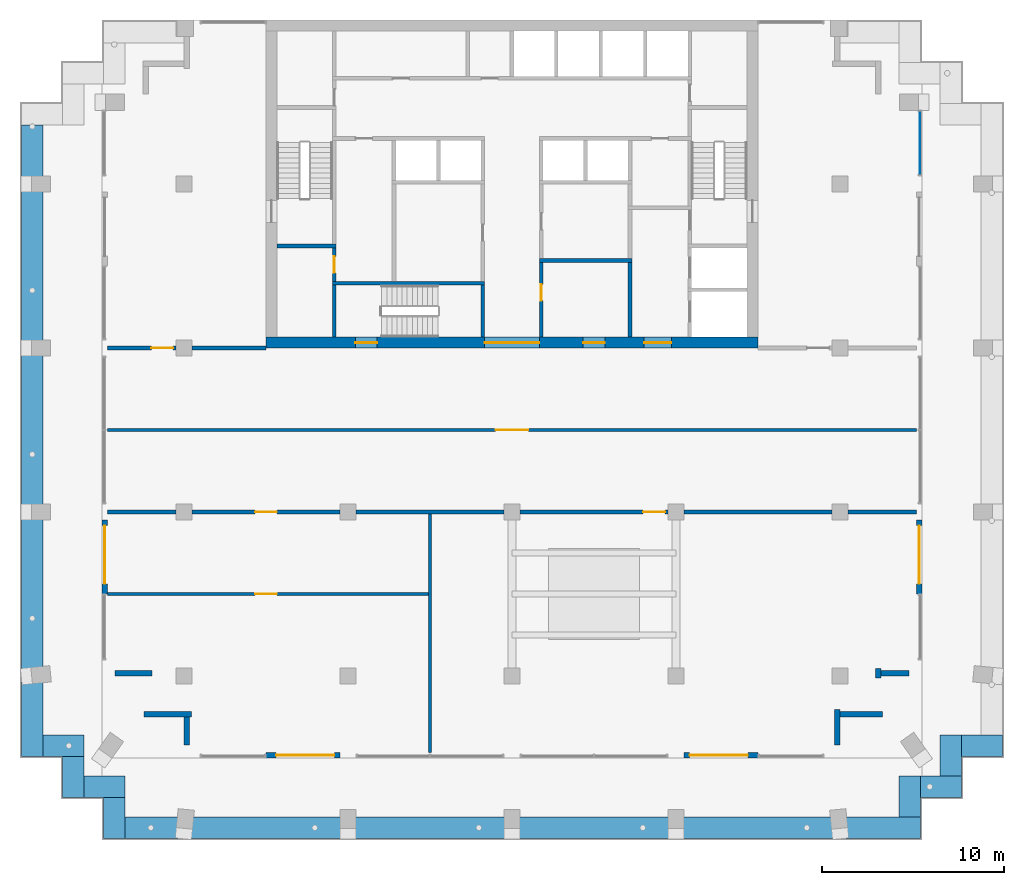
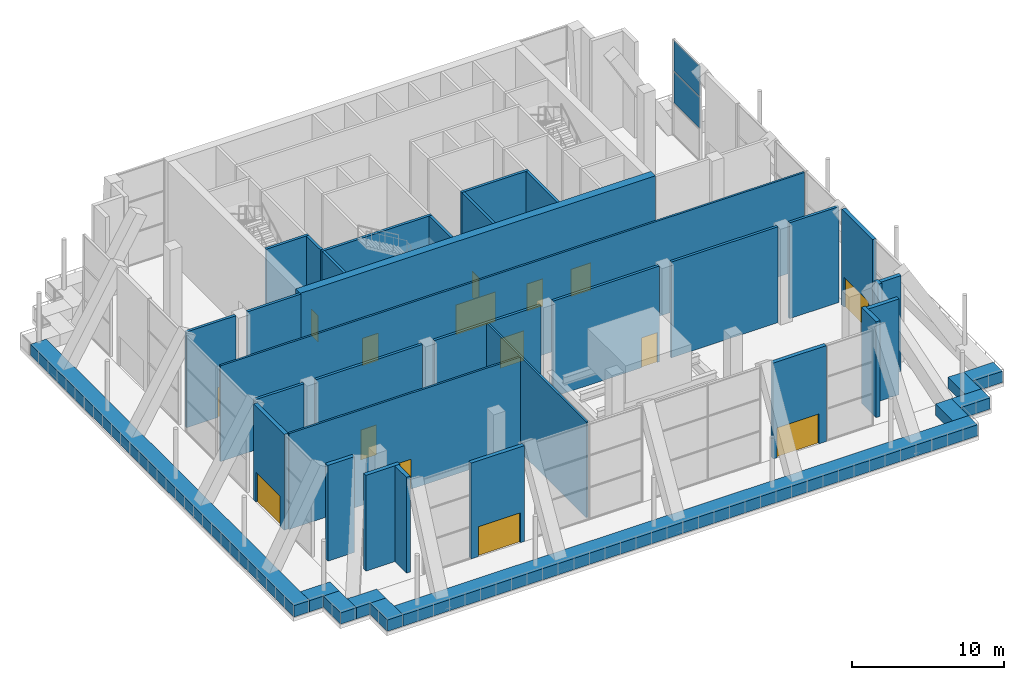
# One storey, part 7 of 12: 41 walls, 15 doors, 2 plates, 15 openings, 1 element without a shape of its own.
"""IFC4 building model written with IfcOpenShell, lengths in metres."""

from ifc_helpers import new_model, si_unit, direction, frame, frame_2d, origin, origin_2d, place, context, subcontext, project, spatial, rectangle, extrude, material, layer, layer_set, type_object, element, fill, aggregate, save


model = new_model("IFC4")

# Units and contexts
model_context = context("Model", 3, precision=1e-05, world=origin(), true_north=direction((0.0, 1.0)))
body_context = subcontext(model_context, "Body", "Model", "MODEL_VIEW")
ifc_project = project(units=[si_unit("LENGTHUNIT", "METRE"), si_unit("AREAUNIT", "SQUARE_METRE"), si_unit("VOLUMEUNIT", "CUBIC_METRE"), si_unit("PLANEANGLEUNIT", "RADIAN"), si_unit("MASSUNIT", "GRAM", prefix="KILO")], contexts=[model_context])

# Site, building, storey
site_placement = place(None, origin())
site = spatial("IfcSite", under=ifc_project, at=site_placement, CompositionType="ELEMENT")
building_placement = place(site_placement, origin())
building = spatial("IfcBuilding", under=site, at=building_placement, Name="Orbiselva Terraces", CompositionType="ELEMENT")
storey_placement = place(building_placement, frame((0.0, 0.0, 289.4)))
storey = spatial("IfcBuildingStorey", under=building, at=storey_placement, Name="L73", CompositionType="ELEMENT", Elevation=289.4)

# Curtain wall, plates
ifc_material_1 = material(Name="Clear low-e glazing in aluminium frame", Category="aluminium")
curtain_wall_type = type_object("IfcCurtainWallType", Name="ENV-CW-TMD", PredefinedType="NOTDEFINED", material=ifc_material_1)
curtain_wall_placement = place(storey_placement, origin())
curtain_wall = element("IfcCurtainWall", 1, at=curtain_wall_placement, inside=storey, type_object=curtain_wall_type, Name="Curtain wall L73 E", PredefinedType="NOTDEFINED")
ifc_material_2 = material(Name="Clear low-e glass", Category="glass")
ifc_layer_1 = layer(ifc_material_2, 0.028)
ifc_layer_set_1 = layer_set([ifc_layer_1], Name="Clear low-e glass")
plate_type = type_object("IfcPlateType", Name="ENV-CW-TMD-PANEL-28", PredefinedType="CURTAIN_PANEL", material=ifc_layer_set_1)
plate_1_placement = place(storey_placement, frame((22.4, 15.75, 2.604167), z_axis=(0.0, 0.0, 1.0), x_axis=(0.0, 1.0, 0.0)))
plate_1 = element("IfcPlate", 2, at=plate_1_placement, type_object=plate_type, Name="CW4 panel 1.2", PredefinedType="CURTAIN_PANEL", context=body_context, shape_type="SweptSolid", body=[
    extrude(rectangle(XDim=3.45, YDim=0.028, at=origin_2d()), origin(), (0.0, 0.0, 1.0), 2.491667),
])
plate_2_placement = place(storey_placement, frame((22.4, 15.75, 5.170834), z_axis=(0.0, 0.0, 1.0), x_axis=(0.0, 1.0, 0.0)))
plate_2 = element("IfcPlate", 3, at=plate_2_placement, type_object=plate_type, Name="CW4 panel 1.3", PredefinedType="CURTAIN_PANEL", context=body_context, shape_type="SweptSolid", body=[
    extrude(rectangle(XDim=3.45, YDim=0.028, at=origin_2d()), origin(), (0.0, 0.0, 1.0), 2.454167),
])
aggregate(curtain_wall, [plate_1, plate_2])

# Wall, openings, doors
ifc_material_3 = material(Name="Concrete C80/95", Category="concrete")
ifc_layer_2 = layer(ifc_material_3, 0.6)
ifc_layer_set_2 = layer_set([ifc_layer_2], Name="Concrete C80/95")
wall_type_1 = type_object("IfcWallType", Name="CORE WALL 600", PredefinedType="SHEAR", material=ifc_layer_set_2)
wall_1_placement = place(storey_placement, frame((-13.5, 4.8, -0.3), z_axis=(0.0, 0.0, 1.0), x_axis=(1.0, 0.0, 0.0)))
wall_1 = element("IfcWall", 4, at=wall_1_placement, inside=storey, type_object=wall_type_1, Name="Core wall L73 south", PredefinedType="SHEAR", context=body_context, shape_type="SweptSolid", body=[
    extrude(rectangle(XDim=27.0, YDim=0.6, at=frame_2d((13.5, 0.0))), origin(), (0.0, 0.0, 1.0), 8.0),
])
opening_1_placement = place(wall_1_placement, frame((12.0, 0.0, 0.3)))
opening_1 = element("IfcOpeningElement", 5, at=opening_1_placement, cuts=wall_1, Name="Opening DL3000", PredefinedType="OPENING", context=body_context, shape_type="SweptSolid", body=[
    extrude(rectangle(XDim=3.0, YDim=2.4, at=frame_2d((1.5, 1.2))), frame((0.0, 0.31, 0.0), z_axis=(0.0, -1.0, 0.0), x_axis=(1.0, 0.0, 0.0)), (0.0, 0.0, 1.0), 0.62),
])
opening_2_placement = place(wall_1_placement, frame((4.9, 0.0, 0.3)))
opening_2 = element("IfcOpeningElement", 6, at=opening_2_placement, cuts=wall_1, Name="Opening DS1200", PredefinedType="OPENING", context=body_context, shape_type="SweptSolid", body=[
    extrude(rectangle(XDim=1.2, YDim=2.2, at=frame_2d((0.6, 1.1))), frame((0.0, 0.31, 0.0), z_axis=(0.0, -1.0, 0.0), x_axis=(1.0, 0.0, 0.0)), (0.0, 0.0, 1.0), 0.62),
])
opening_3_placement = place(wall_1_placement, frame((20.75, 0.0, 0.3)))
opening_3 = element("IfcOpeningElement", 7, at=opening_3_placement, cuts=wall_1, Name="Opening DF1500", PredefinedType="OPENING", context=body_context, shape_type="SweptSolid", body=[
    extrude(rectangle(XDim=1.5, YDim=2.2, at=frame_2d((0.75, 1.1))), frame((0.0, 0.31, 0.0), z_axis=(0.0, -1.0, 0.0), x_axis=(1.0, 0.0, 0.0)), (0.0, 0.0, 1.0), 0.62),
])
opening_4_placement = place(wall_1_placement, frame((17.4, 0.0, 0.3)))
opening_4 = element("IfcOpeningElement", 8, at=opening_4_placement, cuts=wall_1, Name="Opening DV1200", PredefinedType="OPENING", context=body_context, shape_type="SweptSolid", body=[
    extrude(rectangle(XDim=1.2, YDim=2.2, at=frame_2d((0.6, 1.1))), frame((0.0, 0.31, 0.0), z_axis=(0.0, -1.0, 0.0), x_axis=(1.0, 0.0, 0.0)), (0.0, 0.0, 1.0), 0.62),
])
ifc_material_4 = material(Name="Steel fire door", Category="steel")
door_type_1 = type_object("IfcDoorType", Name="FFL DOOR 1500", OperationType="DOUBLE_DOOR_SINGLE_SWING", PredefinedType="DOOR", material=ifc_material_4)
door_1_placement = place(opening_3_placement, frame((1.5, 0.0, 0.0), z_axis=(0.0, 0.0, 1.0), x_axis=(-1.0, 0.0, 0.0)))
door_1 = element("IfcDoor", 9, at=door_1_placement, inside=storey, type_object=door_type_1, Name="L73 FIRE-FIGHTING LOBBY door", OperationType="DOUBLE_DOOR_SINGLE_SWING", OverallHeight=2.2, OverallWidth=1.5, PredefinedType="DOOR", context=body_context, shape_type="SweptSolid", body=[
    extrude(rectangle(XDim=1.5, YDim=2.2, at=frame_2d((0.75, 1.1))), frame((0.0, 0.025, 0.0), z_axis=(0.0, -1.0, 0.0), x_axis=(1.0, 0.0, 0.0)), (0.0, 0.0, 1.0), 0.05),
])
fill(opening_3, door_1)
door_type_2 = type_object("IfcDoorType", Name="LOBBY DOOR 3000", OperationType="DOUBLE_DOOR_SINGLE_SWING", PredefinedType="DOOR", material=ifc_material_4)
door_2_placement = place(opening_1_placement, frame((3.0, 0.0, 0.0), z_axis=(0.0, 0.0, 1.0), x_axis=(-1.0, 0.0, 0.0)))
door_2 = element("IfcDoor", 10, at=door_2_placement, inside=storey, type_object=door_type_2, Name="L73 LIFT LOBBY door", OperationType="DOUBLE_DOOR_SINGLE_SWING", OverallHeight=2.4, OverallWidth=3.0, PredefinedType="DOOR", context=body_context, shape_type="SweptSolid", body=[
    extrude(rectangle(XDim=3.0, YDim=2.4, at=frame_2d((1.5, 1.2))), frame((0.0, 0.025, 0.0), z_axis=(0.0, -1.0, 0.0), x_axis=(1.0, 0.0, 0.0)), (0.0, 0.0, 1.0), 0.05),
])
fill(opening_1, door_2)
door_type_3 = type_object("IfcDoorType", Name="SERVICE DOOR 1200", OperationType="NOTDEFINED", PredefinedType="DOOR", material=ifc_material_4)
door_3_placement = place(opening_4_placement, frame((1.2, 0.0, 0.0), z_axis=(0.0, 0.0, 1.0), x_axis=(-1.0, 0.0, 0.0)))
door_3 = element("IfcDoor", 11, at=door_3_placement, inside=storey, type_object=door_type_3, Name="L73 AIR HANDLING PLANT ROOM door", OperationType="SINGLE_SWING_RIGHT", OverallHeight=2.2, OverallWidth=1.2, PredefinedType="DOOR", context=body_context, shape_type="SweptSolid", body=[
    extrude(rectangle(XDim=1.2, YDim=2.2, at=frame_2d((0.6, 1.1))), frame((0.0, 0.025, 0.0), z_axis=(0.0, -1.0, 0.0), x_axis=(1.0, 0.0, 0.0)), (0.0, 0.0, 1.0), 0.05),
])
fill(opening_4, door_3)
door_type_4 = type_object("IfcDoorType", Name="STAIR DOOR 1200", OperationType="NOTDEFINED", PredefinedType="DOOR", material=ifc_material_4)
door_4_placement = place(opening_2_placement, frame((1.2, 0.0, 0.0), z_axis=(0.0, 0.0, 1.0), x_axis=(-1.0, 0.0, 0.0)))
door_4 = element("IfcDoor", 12, at=door_4_placement, inside=storey, type_object=door_type_4, Name="L73 EXIT STAIR S3 door", OperationType="SINGLE_SWING_LEFT", OverallHeight=2.2, OverallWidth=1.2, PredefinedType="DOOR", context=body_context, shape_type="SweptSolid", body=[
    extrude(rectangle(XDim=1.2, YDim=2.2, at=frame_2d((0.6, 1.1))), frame((0.0, 0.025, 0.0), z_axis=(0.0, -1.0, 0.0), x_axis=(1.0, 0.0, 0.0)), (0.0, 0.0, 1.0), 0.05),
])
fill(opening_2, door_4)

# Wall, opening, door
ifc_material_5 = material(Name="Masonry blockwork", Category="masonry")
ifc_layer_3 = layer(ifc_material_5, 0.2)
ifc_layer_set_3 = layer_set([ifc_layer_3], Name="Masonry blockwork")
wall_type_2 = type_object("IfcWallType", Name="CORE-WALL-PARTITION-200", PredefinedType="PARTITIONING", material=ifc_layer_set_3)
wall_2_placement = place(storey_placement, frame((-9.75, 8.15, 0.0), z_axis=(0.0, 0.0, 1.0), x_axis=(0.0, 1.0, 0.0)))
wall_2 = element("IfcWall", 13, at=wall_2_placement, inside=storey, type_object=wall_type_2, Name="L73 core wall 05", PredefinedType="PARTITIONING", context=body_context, shape_type="SweptSolid", body=[
    extrude(rectangle(XDim=1.85, YDim=0.2, at=frame_2d((0.925, 0.0))), origin(), (0.0, 0.0, 1.0), 7.7),
])
opening_5_placement = place(wall_2_placement, frame((0.475, 0.0, 0.0)))
opening_5 = element("IfcOpeningElement", 14, at=opening_5_placement, cuts=wall_2, Name="Opening DR900", PredefinedType="OPENING", context=body_context, shape_type="SweptSolid", body=[
    extrude(rectangle(XDim=0.9, YDim=2.1, at=frame_2d((0.45, 1.05))), frame((0.0, 0.11, 0.0), z_axis=(0.0, -1.0, 0.0), x_axis=(1.0, 0.0, 0.0)), (0.0, 0.0, 1.0), 0.22),
])
door_type_5 = type_object("IfcDoorType", Name="ROOM DOOR 900", OperationType="NOTDEFINED", PredefinedType="DOOR", material=ifc_material_4)
door_5_placement = place(opening_5_placement, origin())
door_5 = element("IfcDoor", 15, at=door_5_placement, inside=storey, type_object=door_type_5, Name="L73 ELECTRICAL SWITCH ROOM door", OperationType="SINGLE_SWING_RIGHT", OverallHeight=2.1, OverallWidth=0.9, PredefinedType="DOOR", context=body_context, shape_type="SweptSolid", body=[
    extrude(rectangle(XDim=0.9, YDim=2.1, at=frame_2d((0.45, 1.05))), frame((0.0, 0.025, 0.0), z_axis=(0.0, -1.0, 0.0), x_axis=(1.0, 0.0, 0.0)), (0.0, 0.0, 1.0), 0.05),
])
fill(opening_5, door_5)

# Walls
ifc_material_6 = material(Name="Concrete C60/75", Category="concrete")
ifc_layer_4 = layer(ifc_material_6, 0.2)
ifc_layer_set_4 = layer_set([ifc_layer_4], Name="Concrete C60/75")
wall_type_3 = type_object("IfcWallType", Name="CORE-WALL-SHEAR-200", PredefinedType="SHEAR", material=ifc_layer_set_4)
wall_3_placement = place(storey_placement, frame((-12.9, 10.1, 0.0), z_axis=(0.0, 0.0, 1.0), x_axis=(1.0, 0.0, 0.0)))
element("IfcWall", 16, at=wall_3_placement, inside=storey, type_object=wall_type_3, Name="L73 core wall 01", PredefinedType="SHEAR", context=body_context, shape_type="SweptSolid", body=[
    extrude(rectangle(XDim=3.25, YDim=0.2, at=frame_2d((1.625, 0.0))), origin(), (0.0, 0.0, 1.0), 7.7),
])
wall_4_placement = place(storey_placement, frame((-9.75, 5.1, 0.0), z_axis=(0.0, 0.0, 1.0), x_axis=(0.0, 1.0, 0.0)))
element("IfcWall", 17, at=wall_4_placement, inside=storey, type_object=wall_type_3, Name="L73 core wall 03", PredefinedType="SHEAR", context=body_context, shape_type="SweptSolid", body=[
    extrude(rectangle(XDim=2.85, YDim=0.2, at=frame_2d((1.425, 0.0))), origin(), (0.0, 0.0, 1.0), 7.7),
])
wall_5_placement = place(storey_placement, frame((-9.85, 8.05, 0.0), z_axis=(0.0, 0.0, 1.0), x_axis=(1.0, 0.0, 0.0)))
element("IfcWall", 18, at=wall_5_placement, inside=storey, type_object=wall_type_3, Name="L73 core wall 04", PredefinedType="SHEAR", context=body_context, shape_type="SweptSolid", body=[
    extrude(rectangle(XDim=8.35, YDim=0.2, at=frame_2d((4.175, 0.0))), origin(), (0.0, 0.0, 1.0), 7.7),
])
wall_6_placement = place(storey_placement, frame((-1.6, 5.1, 0.0), z_axis=(0.0, 0.0, 1.0), x_axis=(0.0, 1.0, 0.0)))
element("IfcWall", 19, at=wall_6_placement, inside=storey, type_object=wall_type_3, Name="L73 core wall 17", PredefinedType="SHEAR", context=body_context, shape_type="SweptSolid", body=[
    extrude(rectangle(XDim=2.85, YDim=0.2, at=frame_2d((1.425, 0.0))), origin(), (0.0, 0.0, 1.0), 7.7),
])

# Wall, opening, door
wall_7_placement = place(storey_placement, frame((1.6, 9.2, 0.0), z_axis=(0.0, 0.0, 1.0), x_axis=(0.0, -1.0, 0.0)))
wall_7 = element("IfcWall", 20, at=wall_7_placement, inside=storey, type_object=wall_type_3, Name="L73 core wall 21", PredefinedType="SHEAR", context=body_context, shape_type="SweptSolid", body=[
    extrude(rectangle(XDim=4.1, YDim=0.2, at=frame_2d((2.05, 0.0))), origin(), (0.0, 0.0, 1.0), 7.7),
])
opening_6_placement = place(wall_7_placement, frame((1.2, 0.0, 0.0)))
opening_6 = element("IfcOpeningElement", 21, at=opening_6_placement, cuts=wall_7, Name="Opening DR900", PredefinedType="OPENING", context=body_context, shape_type="SweptSolid", body=[
    extrude(rectangle(XDim=0.9, YDim=2.1, at=frame_2d((0.45, 1.05))), frame((0.0, 0.11, 0.0), z_axis=(0.0, -1.0, 0.0), x_axis=(1.0, 0.0, 0.0)), (0.0, 0.0, 1.0), 0.22),
])
door_6_placement = place(opening_6_placement, origin())
door_6 = element("IfcDoor", 22, at=door_6_placement, inside=storey, type_object=door_type_5, Name="L73 AIR HANDLING PLANT ROOM door", OperationType="SINGLE_SWING_LEFT", OverallHeight=2.1, OverallWidth=0.9, PredefinedType="DOOR", context=body_context, shape_type="SweptSolid", body=[
    extrude(rectangle(XDim=0.9, YDim=2.1, at=frame_2d((0.45, 1.05))), frame((0.0, 0.025, 0.0), z_axis=(0.0, -1.0, 0.0), x_axis=(1.0, 0.0, 0.0)), (0.0, 0.0, 1.0), 0.05),
])
fill(opening_6, door_6)

# Walls
wall_8_placement = place(storey_placement, frame((1.5, 9.3, 0.0), z_axis=(0.0, 0.0, 1.0), x_axis=(1.0, 0.0, 0.0)))
element("IfcWall", 23, at=wall_8_placement, inside=storey, type_object=wall_type_3, Name="L73 core wall 22", PredefinedType="SHEAR", context=body_context, shape_type="SweptSolid", body=[
    extrude(rectangle(XDim=5.075, YDim=0.2, at=frame_2d((2.5375, 0.0))), origin(), (0.0, 0.0, 1.0), 7.7),
])
wall_9_placement = place(storey_placement, frame((6.475, 5.1, 0.0), z_axis=(0.0, 0.0, 1.0), x_axis=(0.0, 1.0, 0.0)))
element("IfcWall", 24, at=wall_9_placement, inside=storey, type_object=wall_type_3, Name="L73 core wall 30", PredefinedType="SHEAR", context=body_context, shape_type="SweptSolid", body=[
    extrude(rectangle(XDim=4.1, YDim=0.2, at=frame_2d((2.05, 0.0))), origin(), (0.0, 0.0, 1.0), 7.7),
])
ifc_material_7 = material(Name="Concrete C40/50", Category="concrete")
ifc_layer_5 = layer(ifc_material_7, 1.2)
ifc_layer_set_5 = layer_set([ifc_layer_5], Name="Concrete C40/50")
wall_type_4 = type_object("IfcWallType", Name="ENV-GARDEN-BED-1200x900", PredefinedType="USERDEFINED", material=ifc_layer_set_5)
wall_10_placement = place(storey_placement, frame((-26.33, 16.73, 0.0), z_axis=(0.0, 0.0, 1.0), x_axis=(0.0, -1.0, 0.0)))
element("IfcWall", 25, at=wall_10_placement, inside=storey, type_object=wall_type_4, Name="Planter bed L73 ring", ObjectType="PLANTER", PredefinedType="USERDEFINED", context=body_context, shape_type="SweptSolid", body=[
    extrude(rectangle(XDim=34.66, YDim=1.2, at=frame_2d((17.33, 0.0))), origin(), (0.0, 0.0, 1.0), 0.9),
])
for number, where, z_axis, x_axis, name in (
    (26, (-25.73, -17.33, 0.0), (0.0, 0.0, 1.0), (1.0, 0.0, 0.0), "Planter bed L73 ring"),
    (27, (-24.08, -17.93, 0.0), (0.0, 0.0, 1.0), (0.0, -1.0, 0.0), "Planter bed L73 ring"),
    (28, (-23.48, -19.58, 0.0), (0.0, 0.0, 1.0), (1.0, 0.0, 0.0), "Planter bed L73 ring"),
    (29, (-21.83, -20.18, 0.0), (0.0, 0.0, 1.0), (0.0, -1.0, 0.0), "Planter bed L73 ring"),
):
    element("IfcWall", number, at=place(storey_placement, frame(where, z_axis=z_axis, x_axis=x_axis)), inside=storey, type_object=wall_type_4, Name=name, ObjectType="PLANTER", PredefinedType="USERDEFINED", context=body_context, shape_type="SweptSolid", body=[
        extrude(rectangle(XDim=2.25, YDim=1.2, at=frame_2d((1.125, 0.0))), origin(), (0.0, 0.0, 1.0), 0.9),
    ])
wall_11_placement = place(storey_placement, frame((-21.23, -21.83, 0.0), z_axis=(0.0, 0.0, 1.0), x_axis=(1.0, 0.0, 0.0)))
element("IfcWall", 30, at=wall_11_placement, inside=storey, type_object=wall_type_4, Name="Planter bed L73 ring", ObjectType="PLANTER", PredefinedType="USERDEFINED", context=body_context, shape_type="SweptSolid", body=[
    extrude(rectangle(XDim=43.66, YDim=1.2, at=frame_2d((21.83, 0.0))), origin(), (0.0, 0.0, 1.0), 0.9),
])
for number, where, z_axis, x_axis, name in (
    (31, (21.83, -21.23, 0.0), (0.0, 0.0, 1.0), (0.0, 1.0, 0.0), "Planter bed L73 ring"),
    (32, (22.43, -19.58, 0.0), (0.0, 0.0, 1.0), (1.0, 0.0, 0.0), "Planter bed L73 ring"),
    (33, (24.08, -18.98, 0.0), (0.0, 0.0, 1.0), (0.0, 1.0, 0.0), "Planter bed L73 ring"),
    (34, (24.68, -17.33, 0.0), (0.0, 0.0, 1.0), (1.0, 0.0, 0.0), "Planter bed L73 ring"),
):
    element("IfcWall", number, at=place(storey_placement, frame(where, z_axis=z_axis, x_axis=x_axis)), inside=storey, type_object=wall_type_4, Name=name, ObjectType="PLANTER", PredefinedType="USERDEFINED", context=body_context, shape_type="SweptSolid", body=[
        extrude(rectangle(XDim=2.25, YDim=1.2, at=frame_2d((1.125, 0.0))), origin(), (0.0, 0.0, 1.0), 0.9),
    ])

# Wall, opening, door
ifc_material_8 = material(Name="Terracotta cladding on masonry backing", Category="masonry")
ifc_layer_6 = layer(ifc_material_8, 0.3)
ifc_layer_set_6 = layer_set([ifc_layer_6], Name="Terracotta cladding on masonry backing")
wall_type_5 = type_object("IfcWallType", Name="ENV-WALL-TERRACOTTA-300", PredefinedType="SOLIDWALL", material=ifc_layer_set_6)
wall_12_placement = place(storey_placement, frame((-9.45, -17.85, 0.0), z_axis=(0.0, 0.0, 1.0), x_axis=(-1.0, 0.0, 0.0)))
wall_12 = element("IfcWall", 35, at=wall_12_placement, inside=storey, type_object=wall_type_5, Name="Facade wall L73 S", PredefinedType="SOLIDWALL", context=body_context, shape_type="SweptSolid", body=[
    extrude(rectangle(XDim=4.05, YDim=0.3, at=frame_2d((2.025, 0.0))), origin(), (0.0, 0.0, 1.0), 7.7),
])
opening_7_placement = place(wall_12_placement, frame((0.3, 0.0, 0.0)))
opening_7 = element("IfcOpeningElement", 36, at=opening_7_placement, cuts=wall_12, Name="Opening DAMPER-E01", PredefinedType="OPENING", context=body_context, shape_type="SweptSolid", body=[
    extrude(rectangle(XDim=3.2, YDim=2.4, at=frame_2d((1.6, 1.2))), frame((0.0, 0.16, 0.0), z_axis=(0.0, -1.0, 0.0), x_axis=(1.0, 0.0, 0.0)), (0.0, 0.0, 1.0), 0.32),
])
door_type_6 = type_object("IfcDoorType", Name="TERRACE DOOR 3200 X 2400", OperationType="DOUBLE_DOOR_SINGLE_SWING", PredefinedType="DOOR", material=ifc_material_1)
door_7_placement = place(opening_7_placement, origin())
door_7 = element("IfcDoor", 37, at=door_7_placement, inside=storey, type_object=door_type_6, Name="DAMPER-E01", OperationType="SINGLE_SWING_LEFT", OverallHeight=2.4, OverallWidth=3.2, PredefinedType="DOOR", context=body_context, shape_type="SweptSolid", body=[
    extrude(rectangle(XDim=3.2, YDim=2.4, at=frame_2d((1.6, 1.2))), frame((0.0, 0.025, 0.0), z_axis=(0.0, -1.0, 0.0), x_axis=(1.0, 0.0, 0.0)), (0.0, 0.0, 1.0), 0.05),
])
fill(opening_7, door_7)

wall_13_placement = place(storey_placement, frame((13.5, -17.85, 0.0), z_axis=(0.0, 0.0, 1.0), x_axis=(-1.0, 0.0, 0.0)))
wall_13 = element("IfcWall", 38, at=wall_13_placement, inside=storey, type_object=wall_type_5, Name="Facade wall L73 S", PredefinedType="SOLIDWALL", context=body_context, shape_type="SweptSolid", body=[
    extrude(rectangle(XDim=4.05, YDim=0.3, at=frame_2d((2.025, 0.0))), origin(), (0.0, 0.0, 1.0), 7.7),
])
opening_8_placement = place(wall_13_placement, frame((0.55, 0.0, 0.0)))
opening_8 = element("IfcOpeningElement", 39, at=opening_8_placement, cuts=wall_13, Name="Opening DAMPER-E02", PredefinedType="OPENING", context=body_context, shape_type="SweptSolid", body=[
    extrude(rectangle(XDim=3.2, YDim=2.4, at=frame_2d((1.6, 1.2))), frame((0.0, 0.16, 0.0), z_axis=(0.0, -1.0, 0.0), x_axis=(1.0, 0.0, 0.0)), (0.0, 0.0, 1.0), 0.32),
])
door_8_placement = place(opening_8_placement, origin())
door_8 = element("IfcDoor", 40, at=door_8_placement, inside=storey, type_object=door_type_6, Name="DAMPER-E02", OperationType="SINGLE_SWING_LEFT", OverallHeight=2.4, OverallWidth=3.2, PredefinedType="DOOR", context=body_context, shape_type="SweptSolid", body=[
    extrude(rectangle(XDim=3.2, YDim=2.4, at=frame_2d((1.6, 1.2))), frame((0.0, 0.025, 0.0), z_axis=(0.0, -1.0, 0.0), x_axis=(1.0, 0.0, 0.0)), (0.0, 0.0, 1.0), 0.05),
])
fill(opening_8, door_8)

# Walls
wall_14_placement = place(storey_placement, frame((17.85, -15.35, 0.0), z_axis=(0.0, 0.0, 1.0), x_axis=(0.0, -1.0, 0.0)))
element("IfcWall", 41, at=wall_14_placement, inside=storey, type_object=wall_type_5, Name="Facade wall L73 STEP", PredefinedType="SOLIDWALL", context=body_context, shape_type="SweptSolid", body=[
    extrude(rectangle(XDim=1.9375, YDim=0.3, at=frame_2d((0.96875, 0.0))), origin(), (0.0, 0.0, 1.0), 7.7),
])
wall_15_placement = place(storey_placement, frame((20.3275, -15.6, 0.0), z_axis=(0.0, 0.0, 1.0), x_axis=(-1.0, 0.0, 0.0)))
element("IfcWall", 42, at=wall_15_placement, inside=storey, type_object=wall_type_5, Name="Facade wall L73 STEP", PredefinedType="SOLIDWALL", context=body_context, shape_type="SweptSolid", body=[
    extrude(rectangle(XDim=2.3275, YDim=0.3, at=frame_2d((1.16375, 0.0))), origin(), (0.0, 0.0, 1.0), 7.7),
])
wall_16_placement = place(storey_placement, frame((20.1, -13.1, 0.0), z_axis=(0.0, 0.0, 1.0), x_axis=(0.0, -1.0, 0.0)))
element("IfcWall", 43, at=wall_16_placement, inside=storey, type_object=wall_type_5, Name="Facade wall L73 STEP", PredefinedType="SOLIDWALL", context=body_context, shape_type="SweptSolid", body=[
    extrude(rectangle(XDim=0.5125, YDim=0.3, at=frame_2d((0.25625, 0.0))), origin(), (0.0, 0.0, 1.0), 7.7),
])
wall_17_placement = place(storey_placement, frame((21.7875, -13.35, 0.0), z_axis=(0.0, 0.0, 1.0), x_axis=(-1.0, 0.0, 0.0)))
element("IfcWall", 44, at=wall_17_placement, inside=storey, type_object=wall_type_5, Name="Facade wall L73 STEP", PredefinedType="SOLIDWALL", context=body_context, shape_type="SweptSolid", body=[
    extrude(rectangle(XDim=1.5375, YDim=0.3, at=frame_2d((0.76875, 0.0))), origin(), (0.0, 0.0, 1.0), 7.7),
])

# Wall, opening, door
wall_18_placement = place(storey_placement, frame((22.35, -4.95, 0.0), z_axis=(0.0, 0.0, 1.0), x_axis=(0.0, -1.0, 0.0)))
wall_18 = element("IfcWall", 45, at=wall_18_placement, inside=storey, type_object=wall_type_5, Name="Facade wall L73 E", PredefinedType="SOLIDWALL", context=body_context, shape_type="SweptSolid", body=[
    extrude(rectangle(XDim=4.05, YDim=0.3, at=frame_2d((2.025, 0.0))), origin(), (0.0, 0.0, 1.0), 7.7),
])
opening_9_placement = place(wall_18_placement, frame((0.3, 0.0, 0.0)))
opening_9 = element("IfcOpeningElement", 46, at=opening_9_placement, cuts=wall_18, Name="Opening DAMPER-E03", PredefinedType="OPENING", context=body_context, shape_type="SweptSolid", body=[
    extrude(rectangle(XDim=3.2, YDim=2.4, at=frame_2d((1.6, 1.2))), frame((0.0, 0.16, 0.0), z_axis=(0.0, -1.0, 0.0), x_axis=(1.0, 0.0, 0.0)), (0.0, 0.0, 1.0), 0.32),
])
door_9_placement = place(opening_9_placement, origin())
door_9 = element("IfcDoor", 47, at=door_9_placement, inside=storey, type_object=door_type_6, Name="DAMPER-E03", OperationType="SINGLE_SWING_LEFT", OverallHeight=2.4, OverallWidth=3.2, PredefinedType="DOOR", context=body_context, shape_type="SweptSolid", body=[
    extrude(rectangle(XDim=3.2, YDim=2.4, at=frame_2d((1.6, 1.2))), frame((0.0, 0.025, 0.0), z_axis=(0.0, -1.0, 0.0), x_axis=(1.0, 0.0, 0.0)), (0.0, 0.0, 1.0), 0.05),
])
fill(opening_9, door_9)

wall_19_placement = place(storey_placement, frame((-22.35, -9.0, 0.0), z_axis=(0.0, 0.0, 1.0), x_axis=(0.0, 1.0, 0.0)))
wall_19 = element("IfcWall", 48, at=wall_19_placement, inside=storey, type_object=wall_type_5, Name="Facade wall L73 W", PredefinedType="SOLIDWALL", context=body_context, shape_type="SweptSolid", body=[
    extrude(rectangle(XDim=4.05, YDim=0.3, at=frame_2d((2.025, 0.0))), origin(), (0.0, 0.0, 1.0), 7.7),
])
opening_10_placement = place(wall_19_placement, frame((0.55, 0.0, 0.0)))
opening_10 = element("IfcOpeningElement", 49, at=opening_10_placement, cuts=wall_19, Name="Opening DAMPER-E06", PredefinedType="OPENING", context=body_context, shape_type="SweptSolid", body=[
    extrude(rectangle(XDim=3.2, YDim=2.4, at=frame_2d((1.6, 1.2))), frame((0.0, 0.16, 0.0), z_axis=(0.0, -1.0, 0.0), x_axis=(1.0, 0.0, 0.0)), (0.0, 0.0, 1.0), 0.32),
])
door_10_placement = place(opening_10_placement, origin())
door_10 = element("IfcDoor", 50, at=door_10_placement, inside=storey, type_object=door_type_6, Name="DAMPER-E06", OperationType="SINGLE_SWING_LEFT", OverallHeight=2.4, OverallWidth=3.2, PredefinedType="DOOR", context=body_context, shape_type="SweptSolid", body=[
    extrude(rectangle(XDim=3.2, YDim=2.4, at=frame_2d((1.6, 1.2))), frame((0.0, 0.025, 0.0), z_axis=(0.0, -1.0, 0.0), x_axis=(1.0, 0.0, 0.0)), (0.0, 0.0, 1.0), 0.05),
])
fill(opening_10, door_10)

# Walls
wall_20_placement = place(storey_placement, frame((-19.77, -13.35, 0.0), z_axis=(0.0, 0.0, 1.0), x_axis=(-1.0, 0.0, 0.0)))
element("IfcWall", 51, at=wall_20_placement, inside=storey, type_object=wall_type_5, Name="Facade wall L73 STEP", PredefinedType="SOLIDWALL", context=body_context, shape_type="SweptSolid", body=[
    extrude(rectangle(XDim=2.0175, YDim=0.3, at=frame_2d((1.00875, 0.0))), origin(), (0.0, 0.0, 1.0), 7.7),
])
wall_21_placement = place(storey_placement, frame((-17.6, -15.6, 0.0), z_axis=(0.0, 0.0, 1.0), x_axis=(-1.0, 0.0, 0.0)))
element("IfcWall", 52, at=wall_21_placement, inside=storey, type_object=wall_type_5, Name="Facade wall L73 STEP", PredefinedType="SOLIDWALL", context=body_context, shape_type="SweptSolid", body=[
    extrude(rectangle(XDim=2.595, YDim=0.3, at=frame_2d((1.2975, 0.0))), origin(), (0.0, 0.0, 1.0), 7.7),
])
wall_22_placement = place(storey_placement, frame((-17.85, -17.2875, 0.0), z_axis=(0.0, 0.0, 1.0), x_axis=(0.0, 1.0, 0.0)))
element("IfcWall", 53, at=wall_22_placement, inside=storey, type_object=wall_type_5, Name="Facade wall L73 STEP", PredefinedType="SOLIDWALL", context=body_context, shape_type="SweptSolid", body=[
    extrude(rectangle(XDim=1.5375, YDim=0.3, at=frame_2d((0.76875, 0.0))), origin(), (0.0, 0.0, 1.0), 7.7),
])
ifc_material_9 = material(Name="Plasterboard on steel stud partition", Category="steel")
ifc_layer_7 = layer(ifc_material_9, 0.2)
ifc_layer_set_7 = layer_set([ifc_layer_7], Name="Plasterboard on steel stud partition")
wall_type_6 = type_object("IfcWallType", Name="UNIT-ENTRANCE-WALL-200", PredefinedType="PARTITIONING", material=ifc_layer_set_7)
wall_23_placement = place(storey_placement, frame((-22.2, -4.5, 0.0), z_axis=(0.0, 0.0, 1.0), x_axis=(1.0, 0.0, 0.0)))
element("IfcWall", 54, at=wall_23_placement, inside=storey, type_object=wall_type_6, Name="PARTITION L73-002", PredefinedType="PARTITIONING", context=body_context, shape_type="SweptSolid", body=[
    extrude(rectangle(XDim=3.75, YDim=0.2, at=frame_2d((1.875, 0.0))), origin(), (0.0, 0.0, 1.0), 7.7),
])

# Wall, opening, door
wall_24_placement = place(storey_placement, frame((-9.45, -4.5, 0.0), z_axis=(0.0, 0.0, 1.0), x_axis=(-1.0, 0.0, 0.0)))
wall_24 = element("IfcWall", 55, at=wall_24_placement, inside=storey, type_object=wall_type_6, Name="PARTITION L73-003", PredefinedType="PARTITIONING", context=body_context, shape_type="SweptSolid", body=[
    extrude(rectangle(XDim=8.1, YDim=0.2, at=frame_2d((4.05, 0.0))), origin(), (0.0, 0.0, 1.0), 7.7),
])
opening_11_placement = place(wall_24_placement, frame((3.45, 0.0, 0.0)))
opening_11 = element("IfcOpeningElement", 56, at=opening_11_placement, cuts=wall_24, Name="Opening DAMPER-05", PredefinedType="OPENING", context=body_context, shape_type="SweptSolid", body=[
    extrude(rectangle(XDim=1.2, YDim=2.4, at=frame_2d((0.6, 1.2))), frame((0.0, 0.11, 0.0), z_axis=(0.0, -1.0, 0.0), x_axis=(1.0, 0.0, 0.0)), (0.0, 0.0, 1.0), 0.22),
])
ifc_material_10 = material(Name="Painted timber door leaf", Category="wood")
door_type_7 = type_object("IfcDoorType", Name="PLANT DOOR 1200", OperationType="NOTDEFINED", PredefinedType="DOOR", material=ifc_material_10)
door_11_placement = place(opening_11_placement, origin())
door_11 = element("IfcDoor", 57, at=door_11_placement, inside=storey, type_object=door_type_7, Name="DAMPER-05", OperationType="SINGLE_SWING_RIGHT", OverallHeight=2.4, OverallWidth=1.2, PredefinedType="DOOR", context=body_context, shape_type="SweptSolid", body=[
    extrude(rectangle(XDim=1.2, YDim=2.4, at=frame_2d((0.6, 1.2))), frame((0.0, 0.025, 0.0), z_axis=(0.0, -1.0, 0.0), x_axis=(1.0, 0.0, 0.0)), (0.0, 0.0, 1.0), 0.05),
])
fill(opening_11, door_11)

# Wall
wall_25_placement = place(storey_placement, frame((-8.55, -4.5, 0.0), z_axis=(0.0, 0.0, 1.0), x_axis=(1.0, 0.0, 0.0)))
element("IfcWall", 58, at=wall_25_placement, inside=storey, type_object=wall_type_6, Name="PARTITION L73-004", PredefinedType="PARTITIONING", context=body_context, shape_type="SweptSolid", body=[
    extrude(rectangle(XDim=8.1, YDim=0.2, at=frame_2d((4.05, 0.0))), origin(), (0.0, 0.0, 1.0), 7.7),
])

# Wall, opening, door
wall_26_placement = place(storey_placement, frame((8.55, -4.5, 0.0), z_axis=(0.0, 0.0, 1.0), x_axis=(-1.0, 0.0, 0.0)))
wall_26 = element("IfcWall", 59, at=wall_26_placement, inside=storey, type_object=wall_type_6, Name="PARTITION L73-005", PredefinedType="PARTITIONING", context=body_context, shape_type="SweptSolid", body=[
    extrude(rectangle(XDim=8.1, YDim=0.2, at=frame_2d((4.05, 0.0))), origin(), (0.0, 0.0, 1.0), 7.7),
])
opening_12_placement = place(wall_26_placement, frame((0.15, 0.0, 0.0)))
opening_12 = element("IfcOpeningElement", 60, at=opening_12_placement, cuts=wall_26, Name="Opening DAMPER-04", PredefinedType="OPENING", context=body_context, shape_type="SweptSolid", body=[
    extrude(rectangle(XDim=1.2, YDim=2.4, at=frame_2d((0.6, 1.2))), frame((0.0, 0.11, 0.0), z_axis=(0.0, -1.0, 0.0), x_axis=(1.0, 0.0, 0.0)), (0.0, 0.0, 1.0), 0.22),
])
door_12_placement = place(opening_12_placement, origin())
door_12 = element("IfcDoor", 61, at=door_12_placement, inside=storey, type_object=door_type_7, Name="DAMPER-04", OperationType="SINGLE_SWING_LEFT", OverallHeight=2.4, OverallWidth=1.2, PredefinedType="DOOR", context=body_context, shape_type="SweptSolid", body=[
    extrude(rectangle(XDim=1.2, YDim=2.4, at=frame_2d((0.6, 1.2))), frame((0.0, 0.025, 0.0), z_axis=(0.0, -1.0, 0.0), x_axis=(1.0, 0.0, 0.0)), (0.0, 0.0, 1.0), 0.05),
])
fill(opening_12, door_12)

# Walls
wall_27_placement = place(storey_placement, frame((9.45, -4.5, 0.0), z_axis=(0.0, 0.0, 1.0), x_axis=(1.0, 0.0, 0.0)))
element("IfcWall", 62, at=wall_27_placement, inside=storey, type_object=wall_type_6, Name="PARTITION L73-006", PredefinedType="PARTITIONING", context=body_context, shape_type="SweptSolid", body=[
    extrude(rectangle(XDim=8.1, YDim=0.2, at=frame_2d((4.05, 0.0))), origin(), (0.0, 0.0, 1.0), 7.7),
])
wall_28_placement = place(storey_placement, frame((18.45, -4.5, 0.0), z_axis=(0.0, 0.0, 1.0), x_axis=(1.0, 0.0, 0.0)))
element("IfcWall", 63, at=wall_28_placement, inside=storey, type_object=wall_type_6, Name="PARTITION L73-007", PredefinedType="PARTITIONING", context=body_context, shape_type="SweptSolid", body=[
    extrude(rectangle(XDim=3.75, YDim=0.2, at=frame_2d((1.875, 0.0))), origin(), (0.0, 0.0, 1.0), 7.7),
])

# Wall, opening, door
wall_29_placement = place(storey_placement, frame((-18.45, 4.5, 0.0), z_axis=(0.0, 0.0, 1.0), x_axis=(-1.0, 0.0, 0.0)))
wall_29 = element("IfcWall", 64, at=wall_29_placement, inside=storey, type_object=wall_type_6, Name="PARTITION L73-009", PredefinedType="PARTITIONING", context=body_context, shape_type="SweptSolid", body=[
    extrude(rectangle(XDim=3.75, YDim=0.2, at=frame_2d((1.875, 0.0))), origin(), (0.0, 0.0, 1.0), 7.7),
])
opening_13_placement = place(wall_29_placement, frame((0.15, 0.0, 0.0)))
opening_13 = element("IfcOpeningElement", 65, at=opening_13_placement, cuts=wall_29, Name="Opening DAMPER-02", PredefinedType="OPENING", context=body_context, shape_type="SweptSolid", body=[
    extrude(rectangle(XDim=1.2, YDim=2.4, at=frame_2d((0.6, 1.2))), frame((0.0, 0.11, 0.0), z_axis=(0.0, -1.0, 0.0), x_axis=(1.0, 0.0, 0.0)), (0.0, 0.0, 1.0), 0.22),
])
door_13_placement = place(opening_13_placement, origin())
door_13 = element("IfcDoor", 66, at=door_13_placement, inside=storey, type_object=door_type_7, Name="DAMPER-02", OperationType="SINGLE_SWING_LEFT", OverallHeight=2.4, OverallWidth=1.2, PredefinedType="DOOR", context=body_context, shape_type="SweptSolid", body=[
    extrude(rectangle(XDim=1.2, YDim=2.4, at=frame_2d((0.6, 1.2))), frame((0.0, 0.025, 0.0), z_axis=(0.0, -1.0, 0.0), x_axis=(1.0, 0.0, 0.0)), (0.0, 0.0, 1.0), 0.05),
])
fill(opening_13, door_13)

# Walls
wall_30_placement = place(storey_placement, frame((-17.55, 4.5, 0.0), z_axis=(0.0, 0.0, 1.0), x_axis=(1.0, 0.0, 0.0)))
element("IfcWall", 67, at=wall_30_placement, inside=storey, type_object=wall_type_6, Name="PARTITION L73-010", PredefinedType="PARTITIONING", context=body_context, shape_type="SweptSolid", body=[
    extrude(rectangle(XDim=4.05, YDim=0.2, at=frame_2d((2.025, 0.0))), origin(), (0.0, 0.0, 1.0), 7.7),
])
ifc_layer_8 = layer(ifc_material_9, 0.15)
ifc_layer_set_8 = layer_set([ifc_layer_8], Name="Plasterboard on steel stud partition")
wall_type_7 = type_object("IfcWallType", Name="UNIT-PARTITION-150", PredefinedType="PARTITIONING", material=ifc_layer_set_8)
wall_31_placement = place(storey_placement, frame((-4.5, -17.7, 0.0), z_axis=(0.0, 0.0, 1.0), x_axis=(0.0, 1.0, 0.0)))
element("IfcWall", 68, at=wall_31_placement, inside=storey, type_object=wall_type_7, Name="PARTITION L73-013", PredefinedType="PARTITIONING", context=body_context, shape_type="SweptSolid", body=[
    extrude(rectangle(XDim=13.1, YDim=0.15, at=frame_2d((6.55, 0.0))), origin(), (0.0, 0.0, 1.0), 7.7),
])

# Wall, opening, door
ifc_layer_9 = layer(ifc_material_9, 0.15)
ifc_layer_set_9 = layer_set([ifc_layer_9], Name="Plasterboard on steel stud partition")
wall_type_8 = type_object("IfcWallType", Name="UNIT-PARTITION-FR-150", PredefinedType="PARTITIONING", material=ifc_layer_set_9)
wall_32_placement = place(storey_placement, frame((-4.575, -9.0, 0.0), z_axis=(0.0, 0.0, 1.0), x_axis=(-1.0, 0.0, 0.0)))
wall_32 = element("IfcWall", 69, at=wall_32_placement, inside=storey, type_object=wall_type_8, Name="PARTITION L73-001", PredefinedType="PARTITIONING", context=body_context, shape_type="SweptSolid", body=[
    extrude(rectangle(XDim=17.625, YDim=0.15, at=frame_2d((8.8125, 0.0))), origin(), (0.0, 0.0, 1.0), 7.7),
])
opening_14_placement = place(wall_32_placement, frame((8.325, 0.0, 0.0)))
opening_14 = element("IfcOpeningElement", 70, at=opening_14_placement, cuts=wall_32, Name="Opening DAMPER-06", PredefinedType="OPENING", context=body_context, shape_type="SweptSolid", body=[
    extrude(rectangle(XDim=1.2, YDim=2.4, at=frame_2d((0.6, 1.2))), frame((0.0, 0.085, 0.0), z_axis=(0.0, -1.0, 0.0), x_axis=(1.0, 0.0, 0.0)), (0.0, 0.0, 1.0), 0.17),
])
door_14_placement = place(opening_14_placement, origin())
door_14 = element("IfcDoor", 71, at=door_14_placement, inside=storey, type_object=door_type_7, Name="DAMPER-06", OperationType="SINGLE_SWING_RIGHT", OverallHeight=2.4, OverallWidth=1.2, PredefinedType="DOOR", context=body_context, shape_type="SweptSolid", body=[
    extrude(rectangle(XDim=1.2, YDim=2.4, at=frame_2d((0.6, 1.2))), frame((0.0, 0.025, 0.0), z_axis=(0.0, -1.0, 0.0), x_axis=(1.0, 0.0, 0.0)), (0.0, 0.0, 1.0), 0.05),
])
fill(opening_14, door_14)

wall_33_placement = place(storey_placement, frame((-22.2, 0.0, 0.0), z_axis=(0.0, 0.0, 1.0), x_axis=(1.0, 0.0, 0.0)))
wall_33 = element("IfcWall", 72, at=wall_33_placement, inside=storey, type_object=wall_type_8, Name="PARTITION L73-008", PredefinedType="PARTITIONING", context=body_context, shape_type="SweptSolid", body=[
    extrude(rectangle(XDim=44.4, YDim=0.15, at=frame_2d((22.2, 0.0))), origin(), (0.0, 0.0, 1.0), 7.7),
])
opening_15_placement = place(wall_33_placement, frame((21.3, 0.0, 0.0)))
opening_15 = element("IfcOpeningElement", 73, at=opening_15_placement, cuts=wall_33, Name="Opening DAMPER-01", PredefinedType="OPENING", context=body_context, shape_type="SweptSolid", body=[
    extrude(rectangle(XDim=1.8, YDim=2.4, at=frame_2d((0.9, 1.2))), frame((0.0, 0.085, 0.0), z_axis=(0.0, -1.0, 0.0), x_axis=(1.0, 0.0, 0.0)), (0.0, 0.0, 1.0), 0.17),
])
door_type_8 = type_object("IfcDoorType", Name="DOUBLE DOOR 1800", OperationType="NOTDEFINED", PredefinedType="DOOR", material=ifc_material_10)
door_15_placement = place(opening_15_placement, origin())
door_15 = element("IfcDoor", 74, at=door_15_placement, inside=storey, type_object=door_type_8, Name="DAMPER-01", OperationType="DOUBLE_DOOR_SINGLE_SWING", OverallHeight=2.4, OverallWidth=1.8, PredefinedType="DOOR", context=body_context, shape_type="SweptSolid", body=[
    extrude(rectangle(XDim=1.8, YDim=2.4, at=frame_2d((0.9, 1.2))), frame((0.0, 0.025, 0.0), z_axis=(0.0, -1.0, 0.0), x_axis=(1.0, 0.0, 0.0)), (0.0, 0.0, 1.0), 0.05),
])
fill(opening_15, door_15)

save(model, "model.ifc")
